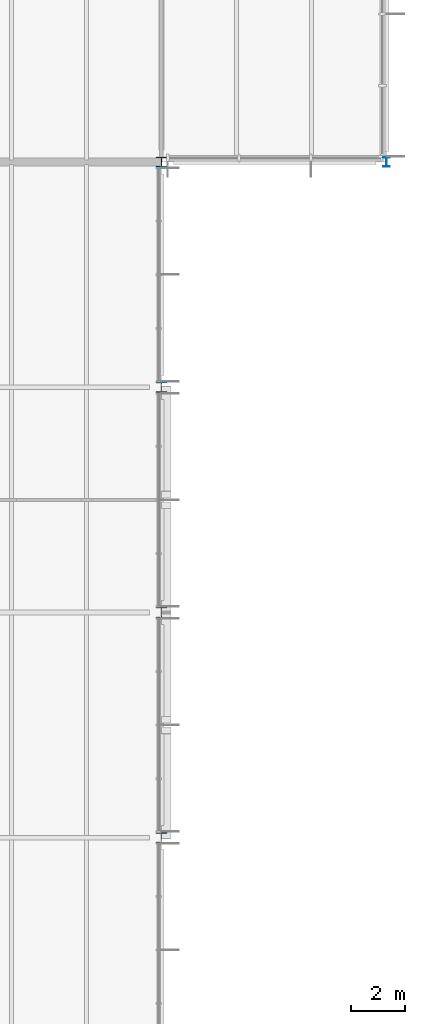
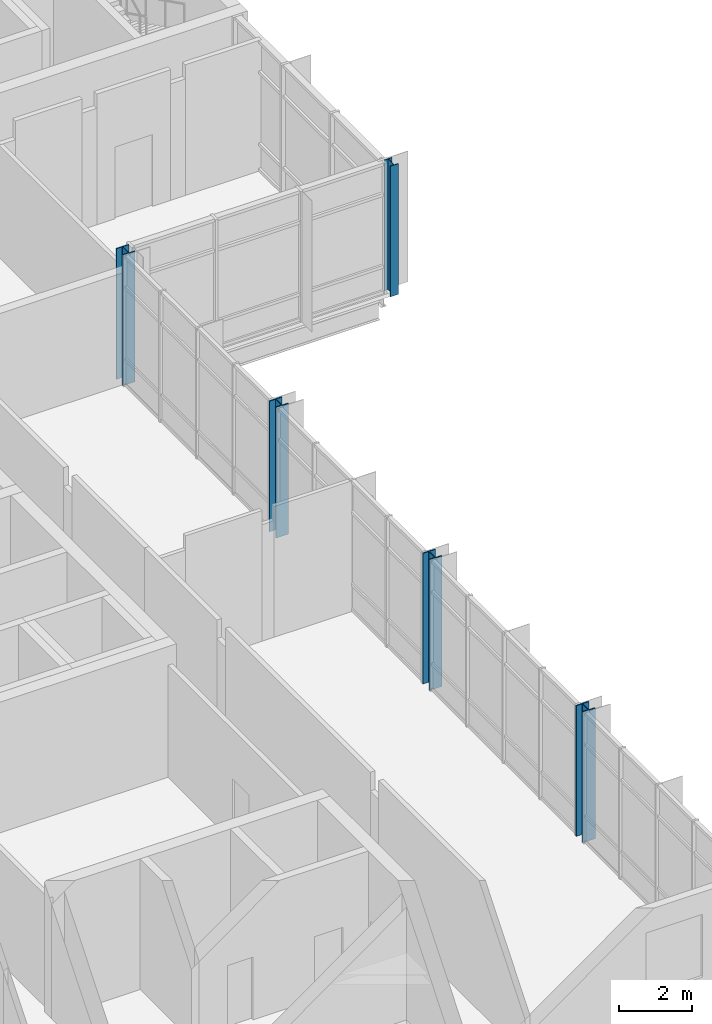
# One storey, part 7 of 89: 5 columns.
"""IFC4 building model written with IfcOpenShell, lengths in metres."""

from ifc_helpers import new_model, si_unit, direction, frame, origin, origin_2d, place, context, subcontext, project, spatial, i_section, extrude, material, material_profile, profile_set, type_object, element, save


model = new_model("IFC4")

# Units and contexts
model_context = context("Model", 3, precision=1e-05, world=origin(), true_north=direction((0.0, 1.0)))
body_context = subcontext(model_context, "Body", "Model", "MODEL_VIEW")
ifc_project = project(units=[si_unit("LENGTHUNIT", "METRE"), si_unit("AREAUNIT", "SQUARE_METRE"), si_unit("VOLUMEUNIT", "CUBIC_METRE"), si_unit("PLANEANGLEUNIT", "RADIAN"), si_unit("MASSUNIT", "GRAM", prefix="KILO")], contexts=[model_context])

# Site, building, storey
site_placement = place(None, origin())
site = spatial("IfcSite", under=ifc_project, at=site_placement, CompositionType="ELEMENT")
building_placement = place(site_placement, origin())
building = spatial("IfcBuilding", under=site, at=building_placement, Name="Hlaing Beacon Police Headquarters", CompositionType="ELEMENT")
storey_placement = place(building_placement, frame((0.0, 0.0, 9.89990234375)))
storey = spatial("IfcBuildingStorey", under=building, at=storey_placement, Name="L02", CompositionType="ELEMENT", Elevation=9.89990234375)

# Columns
ifc_material_1 = material(Name="Steel ASTM A992 Grade 50", Category="steel")
ifc_material_profile_1 = material_profile(ifc_material_1, i_section(OverallWidth=0.393798828125, OverallDepth=0.3759765625, WebThickness=0.017333984375, FlangeThickness=0.027587890625, FilletRadius=0.01513671875, at=origin_2d()), Name="W14x145")
ifc_profile_set_1 = profile_set([ifc_material_profile_1], Name="Steel ASTM A992 Grade 50")
column_type_1 = type_object("IfcColumnType", Name="Steel column W14x145", PredefinedType="COLUMN", material=ifc_profile_set_1)
column_1_placement = place(storey_placement, frame((126.0, 67.199951171875, 0.0), z_axis=(0.0, 0.0, 1.0), x_axis=(1.0, 0.0, 0.0)))
element("IfcColumn", 1, at=column_1_placement, inside=storey, type_object=column_type_1, Name="STR-COL-L02-R9", PredefinedType="COLUMN", context=body_context, shape_type="SweptSolid", body=[
    extrude(i_section(OverallWidth=0.393798828125, OverallDepth=0.3759765625, WebThickness=0.017333984375, FlangeThickness=0.027587890625, FilletRadius=0.01513671875, at=origin_2d()), origin(), (0.0, 0.0, 1.0), 4.3701171875),
])
ifc_material_2 = material(Name="Steel ASTM A992 Grade 50", Category="steel")
ifc_material_profile_2 = material_profile(ifc_material_2, i_section(OverallWidth=0.398681640625, OverallDepth=0.385986328125, WebThickness=0.02099609375, FlangeThickness=0.033203125, FilletRadius=0.01513671875, at=origin_2d()), Name="W14x176")
ifc_profile_set_2 = profile_set([ifc_material_profile_2], Name="Steel ASTM A992 Grade 50")
column_type_2 = type_object("IfcColumnType", Name="Steel column W14x176", PredefinedType="COLUMN", material=ifc_profile_set_2)
for number, where, z_axis, x_axis, name in (
    (2, (126.0, 42.0, 0.0), (0.0, 0.0, 1.0), (1.0, 0.0, 0.0), "STR-COL-L02-R6"),
    (3, (126.0, 50.39990234375, 0.0), (0.0, 0.0, 1.0), (1.0, 0.0, 0.0), "STR-COL-L02-R7"),
    (4, (126.0, 58.800048828125, 0.0), (0.0, 0.0, 1.0), (1.0, 0.0, 0.0), "STR-COL-L02-R8"),
):
    element("IfcColumn", number, at=place(storey_placement, frame(where, z_axis=z_axis, x_axis=x_axis)), inside=storey, type_object=column_type_2, Name=name, PredefinedType="COLUMN", context=body_context, shape_type="SweptSolid", body=[
        extrude(i_section(OverallWidth=0.398681640625, OverallDepth=0.385986328125, WebThickness=0.02099609375, FlangeThickness=0.033203125, FilletRadius=0.01513671875, at=origin_2d()), origin(), (0.0, 0.0, 1.0), 4.3701171875),
    ])
ifc_material_3 = material(Name="Steel ASTM A992 Grade 50", Category="steel")
ifc_material_profile_3 = material_profile(ifc_material_3, i_section(OverallWidth=0.25390625, OverallDepth=0.355712890625, WebThickness=0.010498046875, FlangeThickness=0.018310546875, FilletRadius=0.014892578125, at=origin_2d()), Name="W14x68")
ifc_profile_set_3 = profile_set([ifc_material_profile_3], Name="Steel ASTM A992 Grade 50")
column_type_3 = type_object("IfcColumnType", Name="Steel column W14x68", PredefinedType="COLUMN", material=ifc_profile_set_3)
column_2_placement = place(storey_placement, frame((134.39990234375, 67.199951171875, 0.0), z_axis=(0.0, 0.0, 1.0), x_axis=(1.0, 0.0, 0.0)))
element("IfcColumn", 5, at=column_2_placement, inside=storey, type_object=column_type_3, Name="STR-COL-L02-S9", PredefinedType="COLUMN", context=body_context, shape_type="SweptSolid", body=[
    extrude(i_section(OverallWidth=0.25390625, OverallDepth=0.355712890625, WebThickness=0.010498046875, FlangeThickness=0.018310546875, FilletRadius=0.014892578125, at=origin_2d()), origin(), (0.0, 0.0, 1.0), 4.3701171875),
])

save(model, "model.ifc")
